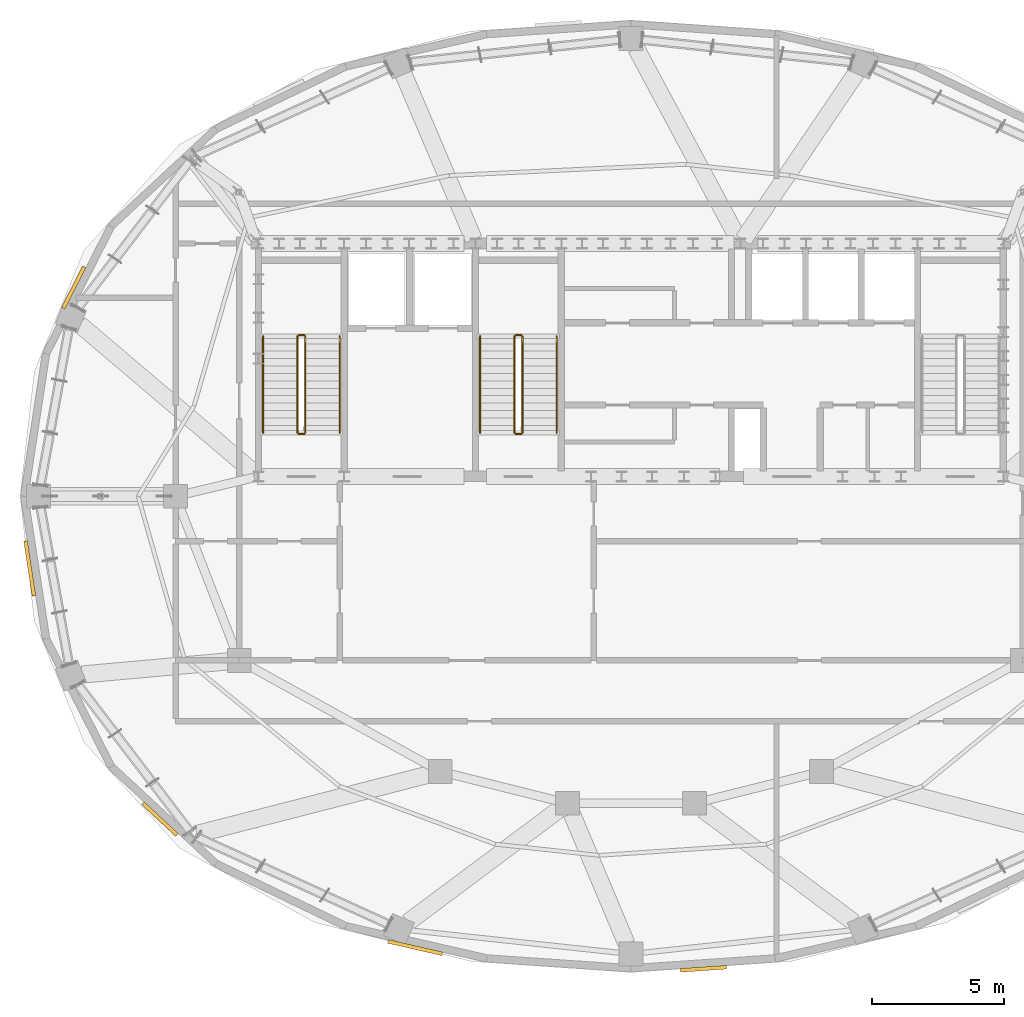
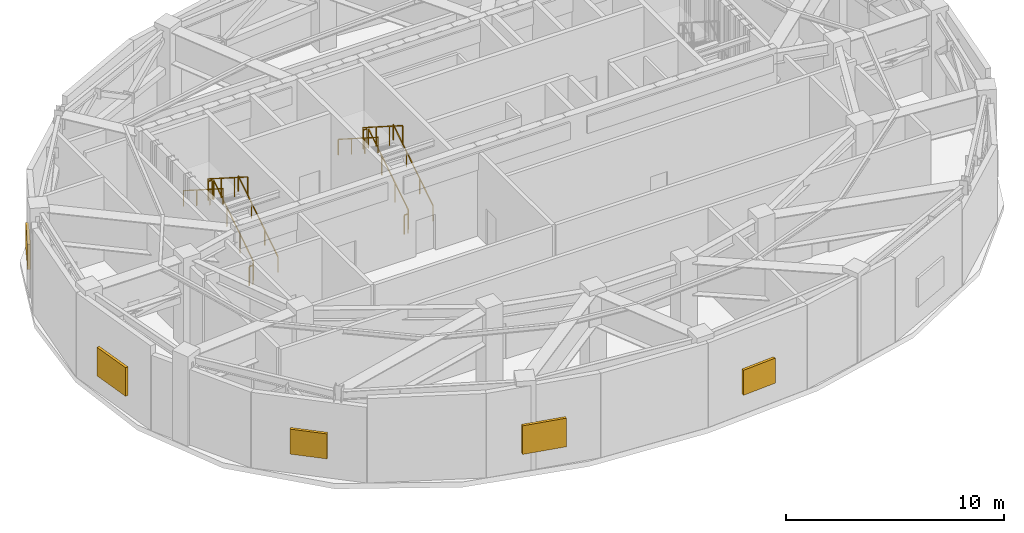
# One storey, part 13 of 15: 12 railings, 5 shading devices.
"""IFC4 building model written with IfcOpenShell, lengths in metres."""

from ifc_helpers import new_model, si_unit, direction, frame, origin, origin_2d, place, context, subcontext, project, spatial, rectangle, extrude, material, type_object, element, save


model = new_model("IFC4")

# Units and contexts
model_context = context("Model", 3, precision=1e-05, world=origin(), true_north=direction((0.0, 1.0)))
body_context = subcontext(model_context, "Body", "Model", "MODEL_VIEW")
ifc_project = project(units=[si_unit("LENGTHUNIT", "METRE"), si_unit("AREAUNIT", "SQUARE_METRE"), si_unit("VOLUMEUNIT", "CUBIC_METRE"), si_unit("PLANEANGLEUNIT", "RADIAN"), si_unit("MASSUNIT", "GRAM", prefix="KILO")], contexts=[model_context])

# Site, building, storey
site_placement = place(None, origin())
site = spatial("IfcSite", under=ifc_project, at=site_placement, CompositionType="ELEMENT")
building_placement = place(site_placement, origin())
building = spatial("IfcBuilding", under=site, at=building_placement, Name="Haldorwick Loom Tower", CompositionType="ELEMENT")
storey_placement = place(building_placement, frame((0.0, 0.0, 286.5)))
storey = spatial("IfcBuildingStorey", under=building, at=storey_placement, Name="L77", CompositionType="ELEMENT", Elevation=286.5)

# Railings
ifc_material_1 = material(Name="Steel CSA G40.21 350W", Category="steel")
railing_type_1 = type_object("IfcRailingType", Name="ARC-RLG-GUARD112", PredefinedType="GUARDRAIL", material=ifc_material_1)
railing_1_placement = place(storey_placement, frame((23.699951171875, 28.39990234375, 0.178466796875)))
element("IfcRailing", 1, at=railing_1_placement, inside=storey, type_object=railing_type_1, Name="L77 ST-01 stair guard 1", PredefinedType="GUARDRAIL", context=body_context, shape_type="SweptSolid", body=[
    extrude(rectangle(XDim=0.048095703125, YDim=0.048095703125, at=origin_2d()), frame((0.0, 0.0, 1.076171875), z_axis=(0.0, 0.843127859045, 0.537713132908), x_axis=(-1.0, 0.0, 0.0)), (0.0, 0.0, 1.0), 4.3173828125),
    extrude(rectangle(XDim=0.0419921875, YDim=0.0419921875, at=origin_2d()), origin(), (0.0, 0.0, 1.0), 1.052001953125),
    extrude(rectangle(XDim=0.0419921875, YDim=0.0419921875, at=origin_2d()), frame((0.0, 1.21337890625, 0.77392578125)), (0.0, 0.0, 1.0), 1.052001953125),
    extrude(rectangle(XDim=0.0419921875, YDim=0.0419921875, at=origin_2d()), frame((0.0, 2.4267578125, 1.547607421875)), (0.0, 0.0, 1.0), 1.052001953125),
    extrude(rectangle(XDim=0.0419921875, YDim=0.0419921875, at=origin_2d()), frame((0.0, 3.64013671875, 2.321533203125)), (0.0, 0.0, 1.0), 1.052001953125),
])
railing_2_placement = place(storey_placement, frame((23.64990234375, 32.090087890625, 2.5)))
element("IfcRailing", 2, at=railing_2_placement, inside=storey, type_object=railing_type_1, Name="L77 ST-01 stair guard 2", PredefinedType="GUARDRAIL", context=body_context, shape_type="SweptSolid", body=[
    extrude(rectangle(XDim=0.048095703125, YDim=0.048095703125, at=origin_2d()), frame((0.0, 0.0, 1.076171875), z_axis=(-1.0, 0.0, 0.0), x_axis=(0.0, -1.0, 0.0)), (0.0, 0.0, 1.0), 0.199951171875),
    extrude(rectangle(XDim=0.0419921875, YDim=0.0419921875, at=origin_2d()), origin(), (0.0, 0.0, 1.0), 1.052001953125),
    extrude(rectangle(XDim=0.0419921875, YDim=0.0419921875, at=origin_2d()), frame((-0.199951171875, 0.0, 0.0)), (0.0, 0.0, 1.0), 1.052001953125),
])
railing_3_placement = place(storey_placement, frame((23.39990234375, 32.0400390625, 2.678466796875)))
element("IfcRailing", 3, at=railing_3_placement, inside=storey, type_object=railing_type_1, Name="L77 ST-01 stair guard 3", PredefinedType="GUARDRAIL", context=body_context, shape_type="SweptSolid", body=[
    extrude(rectangle(XDim=0.048095703125, YDim=0.048095703125, at=origin_2d()), frame((0.0, 0.0, 1.076171875), z_axis=(0.0, -0.843127859045, 0.537713132908), x_axis=(1.0, 0.0, 0.0)), (0.0, 0.0, 1.0), 4.3173828125),
    extrude(rectangle(XDim=0.0419921875, YDim=0.0419921875, at=origin_2d()), origin(), (0.0, 0.0, 1.0), 1.052001953125),
    extrude(rectangle(XDim=0.0419921875, YDim=0.0419921875, at=origin_2d()), frame((0.0, -1.21337890625, 0.77392578125)), (0.0, 0.0, 1.0), 1.052001953125),
    extrude(rectangle(XDim=0.0419921875, YDim=0.0419921875, at=origin_2d()), frame((0.0, -2.4267578125, 1.547607421875)), (0.0, 0.0, 1.0), 1.052001953125),
    extrude(rectangle(XDim=0.0419921875, YDim=0.0419921875, at=origin_2d()), frame((0.0, -3.64013671875, 2.321533203125)), (0.0, 0.0, 1.0), 1.052001953125),
])
railing_4_placement = place(storey_placement, frame((23.64990234375, 28.35009765625, 0.0)))
element("IfcRailing", 4, at=railing_4_placement, inside=storey, type_object=railing_type_1, Name="L77 ST-01 stair guard 4", PredefinedType="GUARDRAIL", context=body_context, shape_type="SweptSolid", body=[
    extrude(rectangle(XDim=0.048095703125, YDim=0.048095703125, at=origin_2d()), frame((0.0, 0.0, 1.076171875), z_axis=(-1.0, 0.0, 0.0), x_axis=(0.0, -1.0, 0.0)), (0.0, 0.0, 1.0), 0.199951171875),
    extrude(rectangle(XDim=0.0419921875, YDim=0.0419921875, at=origin_2d()), origin(), (0.0, 0.0, 1.0), 1.052001953125),
    extrude(rectangle(XDim=0.0419921875, YDim=0.0419921875, at=origin_2d()), frame((-0.199951171875, 0.0, 0.0)), (0.0, 0.0, 1.0), 1.052001953125),
])
railing_5_placement = place(storey_placement, frame((31.89990234375, 28.39990234375, 0.178466796875)))
element("IfcRailing", 5, at=railing_5_placement, inside=storey, type_object=railing_type_1, Name="L77 ST-03 stair guard 1", PredefinedType="GUARDRAIL", context=body_context, shape_type="SweptSolid", body=[
    extrude(rectangle(XDim=0.048095703125, YDim=0.048095703125, at=origin_2d()), frame((0.0, 0.0, 1.076171875), z_axis=(0.0, 0.843127859045, 0.537713132908), x_axis=(-1.0, 0.0, 0.0)), (0.0, 0.0, 1.0), 4.3173828125),
    extrude(rectangle(XDim=0.0419921875, YDim=0.0419921875, at=origin_2d()), origin(), (0.0, 0.0, 1.0), 1.052001953125),
    extrude(rectangle(XDim=0.0419921875, YDim=0.0419921875, at=origin_2d()), frame((0.0, 1.21337890625, 0.77392578125)), (0.0, 0.0, 1.0), 1.052001953125),
    extrude(rectangle(XDim=0.0419921875, YDim=0.0419921875, at=origin_2d()), frame((0.0, 2.4267578125, 1.547607421875)), (0.0, 0.0, 1.0), 1.052001953125),
    extrude(rectangle(XDim=0.0419921875, YDim=0.0419921875, at=origin_2d()), frame((0.0, 3.64013671875, 2.321533203125)), (0.0, 0.0, 1.0), 1.052001953125),
])
railing_6_placement = place(storey_placement, frame((31.85009765625, 32.090087890625, 2.5)))
element("IfcRailing", 6, at=railing_6_placement, inside=storey, type_object=railing_type_1, Name="L77 ST-03 stair guard 2", PredefinedType="GUARDRAIL", context=body_context, shape_type="SweptSolid", body=[
    extrude(rectangle(XDim=0.048095703125, YDim=0.048095703125, at=origin_2d()), frame((0.0, 0.0, 1.076171875), z_axis=(-1.0, 0.0, 0.0), x_axis=(0.0, -1.0, 0.0)), (0.0, 0.0, 1.0), 0.2001953125),
    extrude(rectangle(XDim=0.0419921875, YDim=0.0419921875, at=origin_2d()), origin(), (0.0, 0.0, 1.0), 1.052001953125),
    extrude(rectangle(XDim=0.0419921875, YDim=0.0419921875, at=origin_2d()), frame((-0.2001953125, 0.0, 0.0)), (0.0, 0.0, 1.0), 1.052001953125),
])
railing_7_placement = place(storey_placement, frame((31.60009765625, 32.0400390625, 2.678466796875)))
element("IfcRailing", 7, at=railing_7_placement, inside=storey, type_object=railing_type_1, Name="L77 ST-03 stair guard 3", PredefinedType="GUARDRAIL", context=body_context, shape_type="SweptSolid", body=[
    extrude(rectangle(XDim=0.048095703125, YDim=0.048095703125, at=origin_2d()), frame((0.0, 0.0, 1.076171875), z_axis=(0.0, -0.843127859045, 0.537713132908), x_axis=(1.0, 0.0, 0.0)), (0.0, 0.0, 1.0), 4.3173828125),
    extrude(rectangle(XDim=0.0419921875, YDim=0.0419921875, at=origin_2d()), origin(), (0.0, 0.0, 1.0), 1.052001953125),
    extrude(rectangle(XDim=0.0419921875, YDim=0.0419921875, at=origin_2d()), frame((0.0, -1.21337890625, 0.77392578125)), (0.0, 0.0, 1.0), 1.052001953125),
    extrude(rectangle(XDim=0.0419921875, YDim=0.0419921875, at=origin_2d()), frame((0.0, -2.4267578125, 1.547607421875)), (0.0, 0.0, 1.0), 1.052001953125),
    extrude(rectangle(XDim=0.0419921875, YDim=0.0419921875, at=origin_2d()), frame((0.0, -3.64013671875, 2.321533203125)), (0.0, 0.0, 1.0), 1.052001953125),
])
railing_8_placement = place(storey_placement, frame((31.85009765625, 28.35009765625, 0.0)))
element("IfcRailing", 8, at=railing_8_placement, inside=storey, type_object=railing_type_1, Name="L77 ST-03 stair guard 4", PredefinedType="GUARDRAIL", context=body_context, shape_type="SweptSolid", body=[
    extrude(rectangle(XDim=0.048095703125, YDim=0.048095703125, at=origin_2d()), frame((0.0, 0.0, 1.076171875), z_axis=(-1.0, 0.0, 0.0), x_axis=(0.0, -1.0, 0.0)), (0.0, 0.0, 1.0), 0.2001953125),
    extrude(rectangle(XDim=0.0419921875, YDim=0.0419921875, at=origin_2d()), origin(), (0.0, 0.0, 1.0), 1.052001953125),
    extrude(rectangle(XDim=0.0419921875, YDim=0.0419921875, at=origin_2d()), frame((-0.2001953125, 0.0, 0.0)), (0.0, 0.0, 1.0), 1.052001953125),
])
railing_type_2 = type_object("IfcRailingType", Name="ARC-RLG-HAND092", PredefinedType="HANDRAIL", material=ifc_material_1)
railing_9_placement = place(storey_placement, frame((25.0, 28.39990234375, 0.178466796875)))
element("IfcRailing", 9, at=railing_9_placement, inside=storey, type_object=railing_type_2, Name="L77 ST-01 stair handrail 1", PredefinedType="HANDRAIL", context=body_context, shape_type="SweptSolid", body=[
    extrude(rectangle(XDim=0.048095703125, YDim=0.048095703125, at=origin_2d()), frame((0.0, 0.0, 0.8759765625), z_axis=(0.0, 0.843127859045, 0.537713132908), x_axis=(-1.0, 0.0, 0.0)), (0.0, 0.0, 1.0), 4.3173828125),
    extrude(rectangle(XDim=0.0419921875, YDim=0.0419921875, at=origin_2d()), origin(), (0.0, 0.0, 1.0), 0.851806640625),
    extrude(rectangle(XDim=0.0419921875, YDim=0.0419921875, at=origin_2d()), frame((0.0, 1.21337890625, 0.77392578125)), (0.0, 0.0, 1.0), 0.851806640625),
    extrude(rectangle(XDim=0.0419921875, YDim=0.0419921875, at=origin_2d()), frame((0.0, 2.4267578125, 1.547607421875)), (0.0, 0.0, 1.0), 0.851806640625),
    extrude(rectangle(XDim=0.0419921875, YDim=0.0419921875, at=origin_2d()), frame((0.0, 3.64013671875, 2.321533203125)), (0.0, 0.0, 1.0), 0.851806640625),
])
railing_10_placement = place(storey_placement, frame((22.10009765625, 32.0400390625, 2.678466796875)))
element("IfcRailing", 10, at=railing_10_placement, inside=storey, type_object=railing_type_2, Name="L77 ST-01 stair handrail 2", PredefinedType="HANDRAIL", context=body_context, shape_type="SweptSolid", body=[
    extrude(rectangle(XDim=0.048095703125, YDim=0.048095703125, at=origin_2d()), frame((0.0, 0.0, 0.8759765625), z_axis=(0.0, -0.843127859045, 0.537713132908), x_axis=(1.0, 0.0, 0.0)), (0.0, 0.0, 1.0), 4.3173828125),
    extrude(rectangle(XDim=0.0419921875, YDim=0.0419921875, at=origin_2d()), origin(), (0.0, 0.0, 1.0), 0.851806640625),
    extrude(rectangle(XDim=0.0419921875, YDim=0.0419921875, at=origin_2d()), frame((0.0, -1.21337890625, 0.77392578125)), (0.0, 0.0, 1.0), 0.851806640625),
    extrude(rectangle(XDim=0.0419921875, YDim=0.0419921875, at=origin_2d()), frame((0.0, -2.4267578125, 1.547607421875)), (0.0, 0.0, 1.0), 0.851806640625),
    extrude(rectangle(XDim=0.0419921875, YDim=0.0419921875, at=origin_2d()), frame((0.0, -3.64013671875, 2.321533203125)), (0.0, 0.0, 1.0), 0.851806640625),
])
railing_11_placement = place(storey_placement, frame((33.199951171875, 28.39990234375, 0.178466796875)))
element("IfcRailing", 11, at=railing_11_placement, inside=storey, type_object=railing_type_2, Name="L77 ST-03 stair handrail 1", PredefinedType="HANDRAIL", context=body_context, shape_type="SweptSolid", body=[
    extrude(rectangle(XDim=0.048095703125, YDim=0.048095703125, at=origin_2d()), frame((0.0, 0.0, 0.8759765625), z_axis=(0.0, 0.843127859045, 0.537713132908), x_axis=(-1.0, 0.0, 0.0)), (0.0, 0.0, 1.0), 4.3173828125),
    extrude(rectangle(XDim=0.0419921875, YDim=0.0419921875, at=origin_2d()), origin(), (0.0, 0.0, 1.0), 0.851806640625),
    extrude(rectangle(XDim=0.0419921875, YDim=0.0419921875, at=origin_2d()), frame((0.0, 1.21337890625, 0.77392578125)), (0.0, 0.0, 1.0), 0.851806640625),
    extrude(rectangle(XDim=0.0419921875, YDim=0.0419921875, at=origin_2d()), frame((0.0, 2.4267578125, 1.547607421875)), (0.0, 0.0, 1.0), 0.851806640625),
    extrude(rectangle(XDim=0.0419921875, YDim=0.0419921875, at=origin_2d()), frame((0.0, 3.64013671875, 2.321533203125)), (0.0, 0.0, 1.0), 0.851806640625),
])
railing_12_placement = place(storey_placement, frame((30.300048828125, 32.0400390625, 2.678466796875)))
element("IfcRailing", 12, at=railing_12_placement, inside=storey, type_object=railing_type_2, Name="L77 ST-03 stair handrail 2", PredefinedType="HANDRAIL", context=body_context, shape_type="SweptSolid", body=[
    extrude(rectangle(XDim=0.048095703125, YDim=0.048095703125, at=origin_2d()), frame((0.0, 0.0, 0.8759765625), z_axis=(0.0, -0.843127859045, 0.537713132908), x_axis=(1.0, 0.0, 0.0)), (0.0, 0.0, 1.0), 4.3173828125),
    extrude(rectangle(XDim=0.0419921875, YDim=0.0419921875, at=origin_2d()), origin(), (0.0, 0.0, 1.0), 0.851806640625),
    extrude(rectangle(XDim=0.0419921875, YDim=0.0419921875, at=origin_2d()), frame((0.0, -1.21337890625, 0.77392578125)), (0.0, 0.0, 1.0), 0.851806640625),
    extrude(rectangle(XDim=0.0419921875, YDim=0.0419921875, at=origin_2d()), frame((0.0, -2.4267578125, 1.547607421875)), (0.0, 0.0, 1.0), 0.851806640625),
    extrude(rectangle(XDim=0.0419921875, YDim=0.0419921875, at=origin_2d()), frame((0.0, -3.64013671875, 2.321533203125)), (0.0, 0.0, 1.0), 0.851806640625),
])

# Shading devices
ifc_material_2 = material(Name="Extruded Anodized Aluminium Weather Louvre", Category="aluminium")
shading_device_type_1 = type_object("IfcShadingDeviceType", Name="ARC-SHD-LOUVRE", PredefinedType="JALOUSIE", material=ifc_material_2)
for number, where, z_axis, x_axis, name in (
    (13, (13.2880859375, 23.277099609375, 1.050048828125), (0.0, 0.0, 1.0), (0.151260820247, -0.988493886809, 0.0), "L77 Mechanical Intake Weather Louvre 13"),
    (14, (27.845458984375, 8.947021484375, 1.050048828125), (0.0, 0.0, 1.0), (0.974761194191, -0.223250116011, 0.0), "L77 Mechanical Intake Weather Louvre 17"),
):
    element("IfcShadingDevice", number, at=place(storey_placement, frame(where, z_axis=z_axis, x_axis=x_axis)), inside=storey, type_object=shading_device_type_1, Name=name, PredefinedType="JALOUSIE", context=body_context, shape_type="SweptSolid", body=[
        extrude(rectangle(XDim=2.10009765625, YDim=0.139892578125, at=origin_2d()), origin(), (0.0, 0.0, 1.0), 1.60009765625),
    ])
shading_device_type_2 = type_object("IfcShadingDeviceType", Name="ARC-SHD-LOUVRE2", PredefinedType="JALOUSIE", material=ifc_material_2)
for number, where, z_axis, x_axis, name in (
    (15, (14.94921875, 33.88720703125, 1.150146484375), (0.0, 0.0, 1.0), (-0.45399049974, -0.891006524188, 0.0), "L77 Mechanical Intake Weather Louvre 11"),
    (16, (18.205810546875, 13.804931640625, 1.150146484375), (0.0, 0.0, 1.0), (0.733729864503, -0.679441304262, 0.0), "L77 Mechanical Intake Weather Louvre 15"),
    (17, (38.73828125, 8.146728515625, 1.150146484375), (0.0, 0.0, 1.0), (0.997684278836, 0.068015290665, 0.0), "L77 Mechanical Intake Weather Louvre 19"),
):
    element("IfcShadingDevice", number, at=place(storey_placement, frame(where, z_axis=z_axis, x_axis=x_axis)), inside=storey, type_object=shading_device_type_2, Name=name, PredefinedType="JALOUSIE", context=body_context, shape_type="SweptSolid", body=[
        extrude(rectangle(XDim=1.75, YDim=0.139892578125, at=origin_2d()), origin(), (0.0, 0.0, 1.0), 1.39990234375),
    ])

save(model, "model.ifc")
